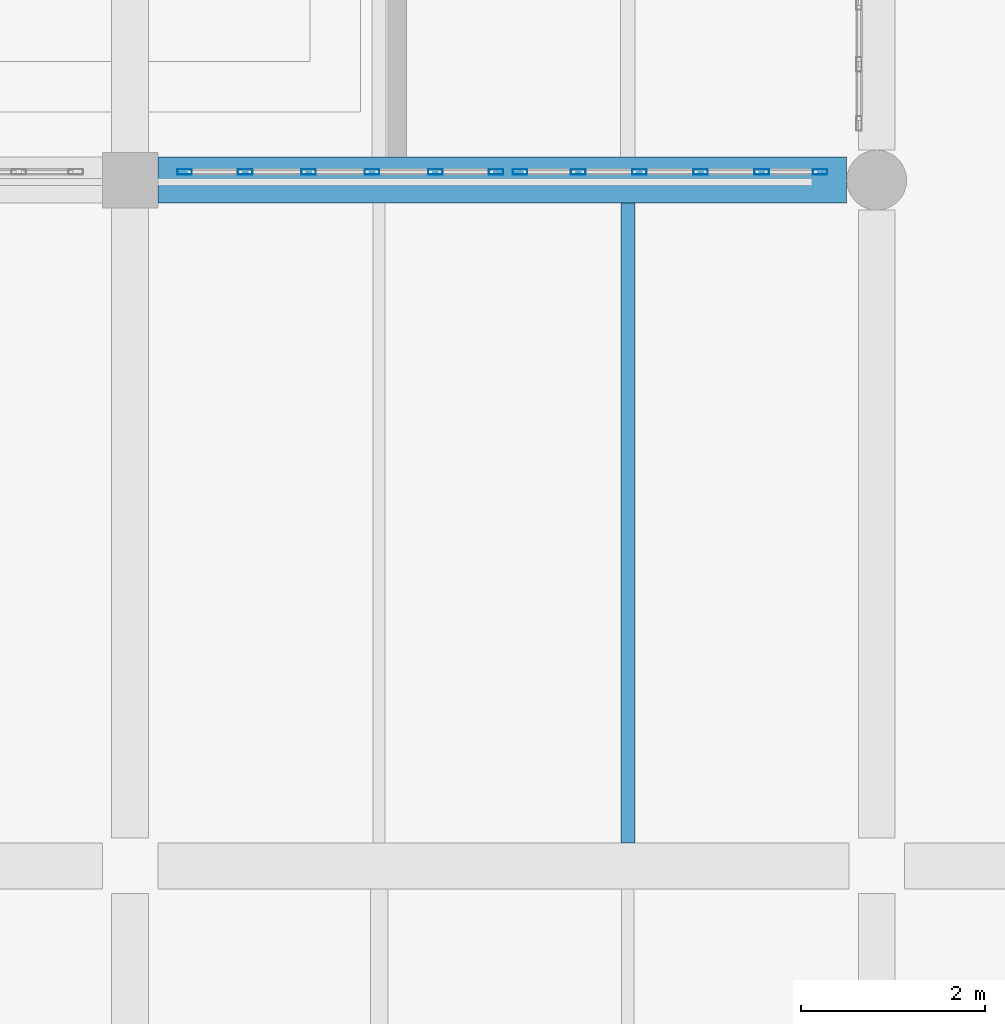
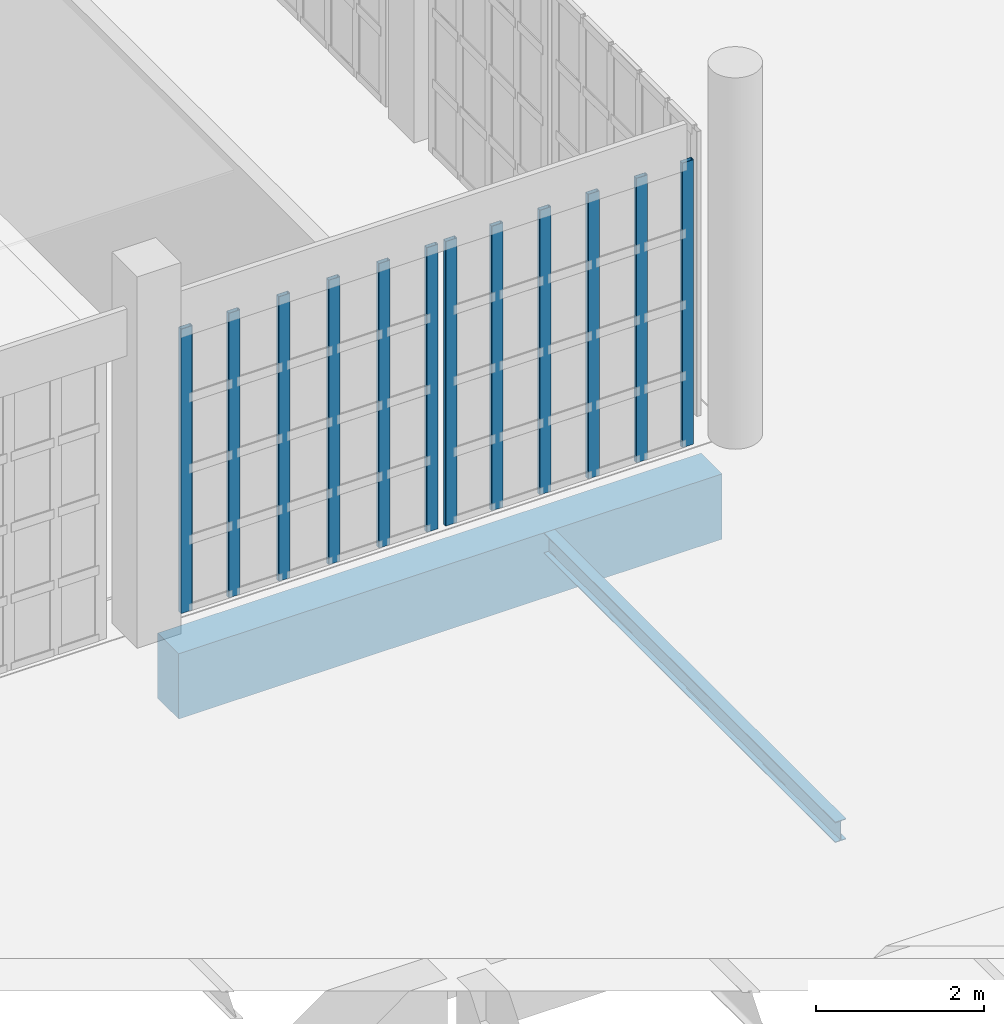
# One storey, part 14 of 372: 12 members, 2 beams, 2 elements without a shape of their own.
"""IFC4 building model written with IfcOpenShell, lengths in metres."""

from ifc_helpers import new_model, si_unit, direction, frame, origin, origin_2d, place, context, subcontext, project, spatial, rectangle, hollow_rectangle, i_section, extrude, material, material_profile, profile_set, type_object, element, aggregate, save


model = new_model("IFC4")

# Units and contexts
model_context = context("Model", 3, precision=1e-05, world=origin(), true_north=direction((0.0, 1.0)))
body_context = subcontext(model_context, "Body", "Model", "MODEL_VIEW")
ifc_project = project(units=[si_unit("LENGTHUNIT", "METRE"), si_unit("AREAUNIT", "SQUARE_METRE"), si_unit("VOLUMEUNIT", "CUBIC_METRE"), si_unit("PLANEANGLEUNIT", "RADIAN"), si_unit("MASSUNIT", "GRAM", prefix="KILO")], contexts=[model_context])

# Site, building, storey
site_placement = place(None, origin())
site = spatial("IfcSite", under=ifc_project, at=site_placement, CompositionType="ELEMENT")
building_placement = place(site_placement, origin())
building = spatial("IfcBuilding", under=site, at=building_placement, Name="Kaelora Sail Theatre", CompositionType="ELEMENT")
storey_placement = place(building_placement, origin())
storey = spatial("IfcBuildingStorey", under=building, at=storey_placement, Name="L00", CompositionType="ELEMENT", Elevation=0.0)

# Curtain wall, members
ifc_material_1 = material(Name="Anodised aluminium and solar-control low-E IGU", Category="aluminium")
curtain_wall_type = type_object("IfcCurtainWallType", Name="ARC-CW-CW-NWG", PredefinedType="NOTDEFINED", material=ifc_material_1)
curtain_wall_1_placement = place(storey_placement, origin())
curtain_wall_1 = element("IfcCurtainWall", 1, at=curtain_wall_1_placement, inside=storey, type_object=curtain_wall_type, Name="Glazed Foyer/Conservatory Curtain Wall COLW-S-L00-03", PredefinedType="NOTDEFINED")
ifc_material_2 = material(Name="Anodised aluminium 6063-T6", Category="aluminium")
ifc_material_profile_1 = material_profile(ifc_material_2, hollow_rectangle(XDim=0.06005859375, YDim=0.159912109375, WallThickness=0.00390625, InnerFilletRadius=0.00390625, OuterFilletRadius=0.008056640625, at=origin_2d()), Name="ALU-MULL 60x160x4")
ifc_profile_set_1 = profile_set([ifc_material_profile_1], Name="Anodised aluminium 6063-T6")
member_type = type_object("IfcMemberType", Name="ARC-MEM-ML-160", PredefinedType="MULLION", material=ifc_profile_set_1)
member_1_placement = place(storey_placement, frame((10.18994140625, 31.35009765625, 0.0), z_axis=(0.0, 0.0, 1.0), x_axis=(0.0, 1.0, 0.0)))
member_1 = element("IfcMember", 2, at=member_1_placement, type_object=member_type, Name="CW-NWG mullion 1", PredefinedType="MULLION", context=body_context, shape_type="SweptSolid", body=[
    extrude(hollow_rectangle(XDim=0.06005859375, YDim=0.159912109375, WallThickness=0.00390625, InnerFilletRadius=0.00390625, OuterFilletRadius=0.008056640625, at=origin_2d()), origin(), (0.0, 0.0, 1.0), 4.136962890625),
])
member_2_placement = place(storey_placement, frame((10.847900390625, 31.35009765625, 0.0), z_axis=(0.0, 0.0, 1.0), x_axis=(0.0, 1.0, 0.0)))
member_2 = element("IfcMember", 3, at=member_2_placement, type_object=member_type, Name="CW-NWG mullion 2", PredefinedType="MULLION", context=body_context, shape_type="SweptSolid", body=[
    extrude(hollow_rectangle(XDim=0.06005859375, YDim=0.159912109375, WallThickness=0.00390625, InnerFilletRadius=0.00390625, OuterFilletRadius=0.008056640625, at=origin_2d()), origin(), (0.0, 0.0, 1.0), 4.136962890625),
])
member_3_placement = place(storey_placement, frame((11.535888671875, 31.35009765625, 0.0), z_axis=(0.0, 0.0, 1.0), x_axis=(0.0, 1.0, 0.0)))
member_3 = element("IfcMember", 4, at=member_3_placement, type_object=member_type, Name="CW-NWG mullion 3", PredefinedType="MULLION", context=body_context, shape_type="SweptSolid", body=[
    extrude(hollow_rectangle(XDim=0.06005859375, YDim=0.159912109375, WallThickness=0.00390625, InnerFilletRadius=0.00390625, OuterFilletRadius=0.008056640625, at=origin_2d()), origin(), (0.0, 0.0, 1.0), 4.136962890625),
])
member_4_placement = place(storey_placement, frame((12.22412109375, 31.35009765625, 0.0), z_axis=(0.0, 0.0, 1.0), x_axis=(0.0, 1.0, 0.0)))
member_4 = element("IfcMember", 5, at=member_4_placement, type_object=member_type, Name="CW-NWG mullion 4", PredefinedType="MULLION", context=body_context, shape_type="SweptSolid", body=[
    extrude(hollow_rectangle(XDim=0.06005859375, YDim=0.159912109375, WallThickness=0.00390625, InnerFilletRadius=0.00390625, OuterFilletRadius=0.008056640625, at=origin_2d()), origin(), (0.0, 0.0, 1.0), 4.136962890625),
])
member_5_placement = place(storey_placement, frame((12.912109375, 31.35009765625, 0.0), z_axis=(0.0, 0.0, 1.0), x_axis=(0.0, 1.0, 0.0)))
member_5 = element("IfcMember", 6, at=member_5_placement, type_object=member_type, Name="CW-NWG mullion 5", PredefinedType="MULLION", context=body_context, shape_type="SweptSolid", body=[
    extrude(hollow_rectangle(XDim=0.06005859375, YDim=0.159912109375, WallThickness=0.00390625, InnerFilletRadius=0.00390625, OuterFilletRadius=0.008056640625, at=origin_2d()), origin(), (0.0, 0.0, 1.0), 4.136962890625),
])
member_6_placement = place(storey_placement, frame((13.570068359375, 31.35009765625, 0.0), z_axis=(0.0, 0.0, 1.0), x_axis=(0.0, 1.0, 0.0)))
member_6 = element("IfcMember", 7, at=member_6_placement, type_object=member_type, Name="CW-NWG mullion 6", PredefinedType="MULLION", context=body_context, shape_type="SweptSolid", body=[
    extrude(hollow_rectangle(XDim=0.06005859375, YDim=0.159912109375, WallThickness=0.00390625, InnerFilletRadius=0.00390625, OuterFilletRadius=0.008056640625, at=origin_2d()), origin(), (0.0, 0.0, 1.0), 4.136962890625),
])
aggregate(curtain_wall_1, [member_1, member_2, member_3, member_4, member_5, member_6])

curtain_wall_2_placement = place(storey_placement, origin())
curtain_wall_2 = element("IfcCurtainWall", 8, at=curtain_wall_2_placement, inside=storey, type_object=curtain_wall_type, Name="Glazed Foyer/Conservatory Curtain Wall COLW-S-L00-04", PredefinedType="NOTDEFINED")
member_7_placement = place(storey_placement, frame((13.830078125, 31.35009765625, 0.0), z_axis=(0.0, 0.0, 1.0), x_axis=(0.0, 1.0, 0.0)))
member_7 = element("IfcMember", 9, at=member_7_placement, type_object=member_type, Name="CW-NWG mullion 1", PredefinedType="MULLION", context=body_context, shape_type="SweptSolid", body=[
    extrude(hollow_rectangle(XDim=0.06005859375, YDim=0.159912109375, WallThickness=0.00390625, InnerFilletRadius=0.00390625, OuterFilletRadius=0.008056640625, at=origin_2d()), origin(), (0.0, 0.0, 1.0), 4.136962890625),
])
member_8_placement = place(storey_placement, frame((14.462890625, 31.35009765625, 0.0), z_axis=(0.0, 0.0, 1.0), x_axis=(0.0, 1.0, 0.0)))
member_8 = element("IfcMember", 10, at=member_8_placement, type_object=member_type, Name="CW-NWG mullion 2", PredefinedType="MULLION", context=body_context, shape_type="SweptSolid", body=[
    extrude(hollow_rectangle(XDim=0.06005859375, YDim=0.159912109375, WallThickness=0.00390625, InnerFilletRadius=0.00390625, OuterFilletRadius=0.008056640625, at=origin_2d()), origin(), (0.0, 0.0, 1.0), 4.136962890625),
])
member_9_placement = place(storey_placement, frame((15.1259765625, 31.35009765625, 0.0), z_axis=(0.0, 0.0, 1.0), x_axis=(0.0, 1.0, 0.0)))
member_9 = element("IfcMember", 11, at=member_9_placement, type_object=member_type, Name="CW-NWG mullion 3", PredefinedType="MULLION", context=body_context, shape_type="SweptSolid", body=[
    extrude(hollow_rectangle(XDim=0.06005859375, YDim=0.159912109375, WallThickness=0.00390625, InnerFilletRadius=0.00390625, OuterFilletRadius=0.008056640625, at=origin_2d()), origin(), (0.0, 0.0, 1.0), 4.136962890625),
])
member_10_placement = place(storey_placement, frame((15.7890625, 31.35009765625, 0.0), z_axis=(0.0, 0.0, 1.0), x_axis=(0.0, 1.0, 0.0)))
member_10 = element("IfcMember", 12, at=member_10_placement, type_object=member_type, Name="CW-NWG mullion 4", PredefinedType="MULLION", context=body_context, shape_type="SweptSolid", body=[
    extrude(hollow_rectangle(XDim=0.06005859375, YDim=0.159912109375, WallThickness=0.00390625, InnerFilletRadius=0.00390625, OuterFilletRadius=0.008056640625, at=origin_2d()), origin(), (0.0, 0.0, 1.0), 4.136962890625),
])
member_11_placement = place(storey_placement, frame((16.451904296875, 31.35009765625, 0.0), z_axis=(0.0, 0.0, 1.0), x_axis=(0.0, 1.0, 0.0)))
member_11 = element("IfcMember", 13, at=member_11_placement, type_object=member_type, Name="CW-NWG mullion 5", PredefinedType="MULLION", context=body_context, shape_type="SweptSolid", body=[
    extrude(hollow_rectangle(XDim=0.06005859375, YDim=0.159912109375, WallThickness=0.00390625, InnerFilletRadius=0.00390625, OuterFilletRadius=0.008056640625, at=origin_2d()), origin(), (0.0, 0.0, 1.0), 4.136962890625),
])
member_12_placement = place(storey_placement, frame((17.0849609375, 31.35009765625, 0.0), z_axis=(0.0, 0.0, 1.0), x_axis=(0.0, 1.0, 0.0)))
member_12 = element("IfcMember", 14, at=member_12_placement, type_object=member_type, Name="CW-NWG mullion 6", PredefinedType="MULLION", context=body_context, shape_type="SweptSolid", body=[
    extrude(hollow_rectangle(XDim=0.06005859375, YDim=0.159912109375, WallThickness=0.00390625, InnerFilletRadius=0.00390625, OuterFilletRadius=0.008056640625, at=origin_2d()), origin(), (0.0, 0.0, 1.0), 4.136962890625),
])
aggregate(curtain_wall_2, [member_7, member_8, member_9, member_10, member_11, member_12])

# Beams
ifc_material_3 = material(Name="Concrete C45/55", Category="concrete")
ifc_material_profile_2 = material_profile(ifc_material_3, rectangle(XDim=0.5, YDim=0.949951171875, at=origin_2d()), Name="RC-GRD 500x950")
ifc_profile_set_2 = profile_set([ifc_material_profile_2], Name="Concrete C45/55")
beam_type_1 = type_object("IfcBeamType", Name="STR-BM-GR-RC5095", PredefinedType="T_BEAM", material=ifc_profile_set_2)
beam_1_placement = place(storey_placement, frame((9.89990234375, 31.260009765625, -0.794921875), z_axis=(1.0, 0.0, 0.0), x_axis=(0.0, 1.0, 0.0)))
element("IfcBeam", 15, at=beam_1_placement, inside=storey, type_object=beam_type_1, Name="Primary beam E 2-3 (L00)", PredefinedType="T_BEAM", context=body_context, shape_type="SweptSolid", body=[
    extrude(rectangle(XDim=0.5, YDim=0.949951171875, at=origin_2d()), origin(), (0.0, 0.0, 1.0), 7.47509765625),
])
ifc_material_4 = material(Name="Steel S355", Category="steel")
ifc_material_profile_3 = material_profile(ifc_material_4, i_section(OverallWidth=0.14990234375, OverallDepth=0.300048828125, WebThickness=0.007080078125, FlangeThickness=0.0107421875, FilletRadius=0.014892578125, at=origin_2d()), Name="IPE 300")
ifc_profile_set_3 = profile_set([ifc_material_profile_3], Name="Steel S355")
beam_type_2 = type_object("IfcBeamType", Name="STR-BM-JS-IPE300", PredefinedType="JOIST", material=ifc_profile_set_3)
beam_2_placement = place(storey_placement, frame((15.0, 24.070068359375, -0.469970703125), z_axis=(0.0, 1.0, 0.0), x_axis=(-1.0, 0.0, 0.0)))
element("IfcBeam", 16, at=beam_2_placement, inside=storey, type_object=beam_type_2, Name="Secondary floor joist 2/D-2 (L00)", PredefinedType="JOIST", context=body_context, shape_type="SweptSolid", body=[
    extrude(i_section(OverallWidth=0.14990234375, OverallDepth=0.300048828125, WebThickness=0.007080078125, FlangeThickness=0.0107421875, FilletRadius=0.014892578125, at=origin_2d()), origin(), (0.0, 0.0, 1.0), 6.93994140625),
])

save(model, "model.ifc")
